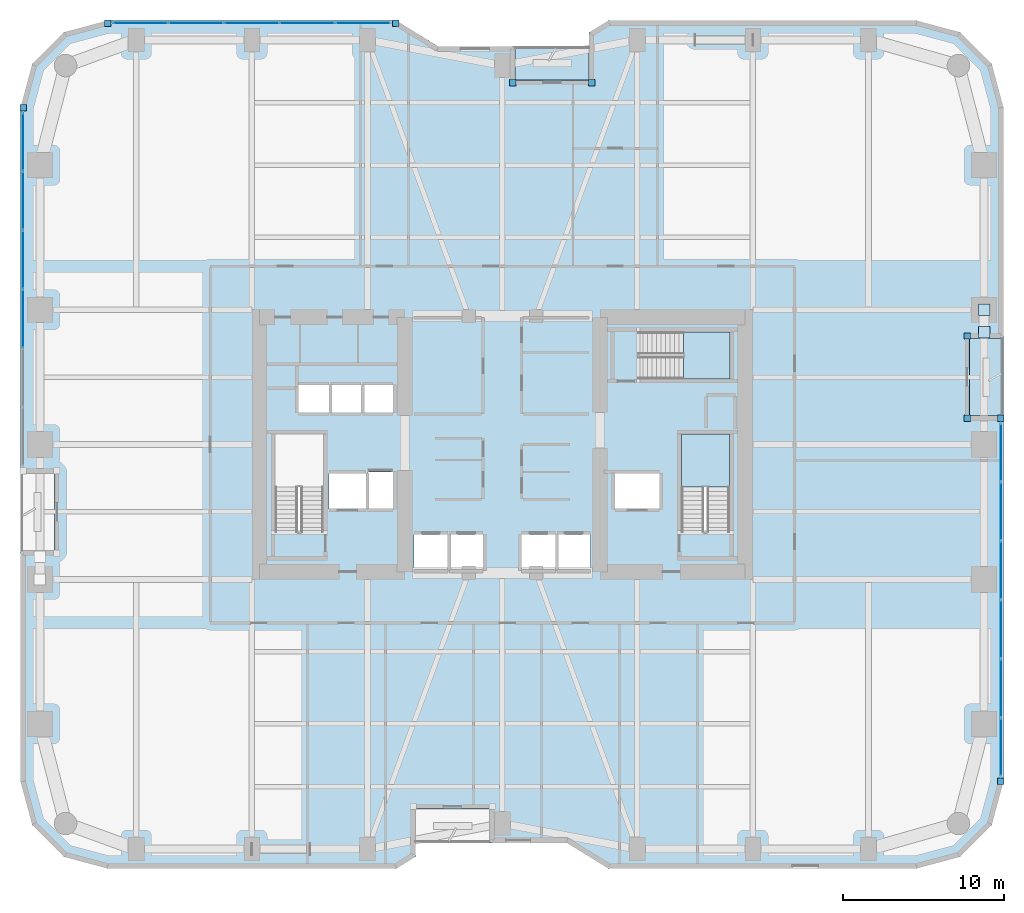
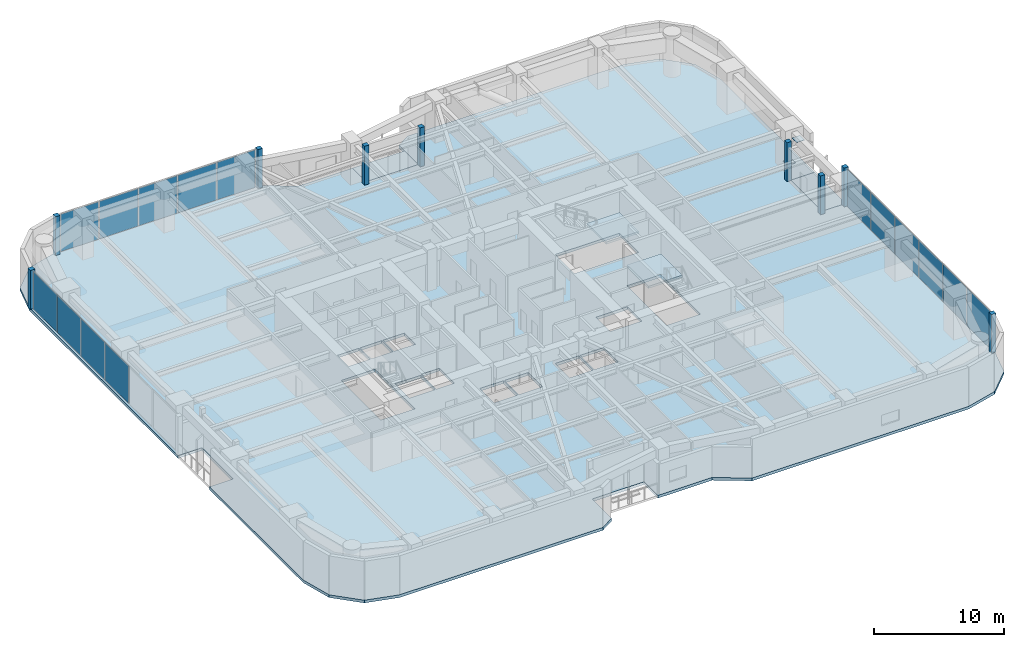
# One storey, part 20 of 29: 26 plates, 5 slabs, 5 elements without a shape of their own.
"""IFC4 building model written with IfcOpenShell, lengths in metres."""

from ifc_helpers import new_model, si_unit, direction, frame, origin, origin_2d, place, context, subcontext, project, spatial, polyline, rectangle, outline, extrude, material, layer, layer_set, type_object, element, aggregate, save


model = new_model("IFC4")

# Units and contexts
model_context = context("Model", 3, precision=1e-05, world=origin(), true_north=direction((0.0, 1.0)))
body_context = subcontext(model_context, "Body", "Model", "MODEL_VIEW")
ifc_project = project(units=[si_unit("LENGTHUNIT", "METRE"), si_unit("AREAUNIT", "SQUARE_METRE"), si_unit("VOLUMEUNIT", "CUBIC_METRE"), si_unit("PLANEANGLEUNIT", "RADIAN"), si_unit("MASSUNIT", "GRAM", prefix="KILO")], contexts=[model_context])

# Site, building, storey
site_placement = place(None, origin())
site = spatial("IfcSite", under=ifc_project, at=site_placement, CompositionType="ELEMENT")
building_placement = place(site_placement, origin())
building = spatial("IfcBuilding", under=site, at=building_placement, Name="Kiyonajd Concourse Tower", CompositionType="ELEMENT")
storey_placement = place(building_placement, frame((0.0, 0.0, 48.89990234375)))
storey = spatial("IfcBuildingStorey", under=building, at=storey_placement, Name="L13", CompositionType="ELEMENT", Elevation=48.89990234375)

# Plates
ifc_material_1 = material(Name="Steel ASTM A572 Grade 50", Category="steel")
ifc_layer_1 = layer(ifc_material_1, 0.028076171875)
ifc_layer_set_1 = layer_set([ifc_layer_1], Name="Steel ASTM A572 Grade 50")
plate_type_1 = type_object("IfcPlateType", Name="PL-CAP-450", PredefinedType="USERDEFINED", material=ifc_layer_set_1)
for number, where, z_axis, x_axis, name in (
    (1, (78.0, 44.40478515625, 0.27587890625), (0.0, 0.0, 1.0), (1.0, 0.0, 0.0), "L13 Hollow Brace End Cap Plate PBE"),
    (2, (78.0, 42.995361328125, 3.2861328125), (0.0, 0.0, 1.0), (1.0, 0.0, 0.0), "L13 Hollow Brace Top Cap Plate PBE"),
):
    element("IfcPlate", number, at=place(storey_placement, frame(where, z_axis=z_axis, x_axis=x_axis)), inside=storey, type_object=plate_type_1, Name=name, ObjectType="CAP PLATE", PredefinedType="USERDEFINED", context=body_context, shape_type="SweptSolid", body=[
        extrude(rectangle(XDim=0.7099609375, YDim=0.7099609375, at=origin_2d()), origin(), (0.0, 0.0, 1.0), 0.028076171875),
    ])

# Curtain wall, plates
ifc_material_2 = material(Name="Thermally Broken Anodised Aluminium", Category="aluminium")
ifc_layer_2 = layer(ifc_material_2, 0.179931640625)
ifc_layer_set_2 = layer_set([ifc_layer_2], Name="Thermally Broken Anodised Aluminium")
curtain_wall_type = type_object("IfcCurtainWallType", Name="CW-SYS-02", PredefinedType="NOTDEFINED", material=ifc_layer_set_2)
curtain_wall_1_placement = place(storey_placement, origin())
curtain_wall_1 = element("IfcCurtainWall", 3, at=curtain_wall_1_placement, inside=storey, type_object=curtain_wall_type, Name="L13 Unitised Curtain Wall CW2", PredefinedType="NOTDEFINED")
ifc_material_3 = material(Name="Double Low-E Insulated Glass", Category="glass")
ifc_layer_3 = layer(ifc_material_3, 0.028076171875)
ifc_layer_set_3 = layer_set([ifc_layer_3], Name="Double Low-E Insulated Glass")
plate_type_2 = type_object("IfcPlateType", Name="PL-CW-VIS28", PredefinedType="CURTAIN_PANEL", material=ifc_layer_set_3)
plate_1_placement = place(storey_placement, frame((18.159912109375, 43.832763671875, 0.06494140625), z_axis=(0.0, 0.0, 1.0), x_axis=(0.0, 1.0, 0.0)))
plate_1 = element("IfcPlate", 4, at=plate_1_placement, type_object=plate_type_2, Name="CW2 panel 3.1", PredefinedType="CURTAIN_PANEL", context=body_context, shape_type="SweptSolid", body=[
    extrude(rectangle(XDim=3.608154296875, YDim=0.028076171875, at=origin_2d()), origin(), (0.0, 0.0, 1.0), 3.510009765625),
])
plate_2_placement = place(storey_placement, frame((18.159912109375, 47.506103515625, 0.06494140625), z_axis=(0.0, 0.0, 1.0), x_axis=(0.0, 1.0, 0.0)))
plate_2 = element("IfcPlate", 5, at=plate_2_placement, type_object=plate_type_2, Name="CW2 panel 4.1", PredefinedType="CURTAIN_PANEL", context=body_context, shape_type="SweptSolid", body=[
    extrude(rectangle(XDim=3.608154296875, YDim=0.028076171875, at=origin_2d()), origin(), (0.0, 0.0, 1.0), 3.510009765625),
])
plate_3_placement = place(storey_placement, frame((18.159912109375, 51.17919921875, 0.06494140625), z_axis=(0.0, 0.0, 1.0), x_axis=(0.0, 1.0, 0.0)))
plate_3 = element("IfcPlate", 6, at=plate_3_placement, type_object=plate_type_2, Name="CW2 panel 5.1", PredefinedType="CURTAIN_PANEL", context=body_context, shape_type="SweptSolid", body=[
    extrude(rectangle(XDim=3.608154296875, YDim=0.028076171875, at=origin_2d()), origin(), (0.0, 0.0, 1.0), 3.510009765625),
])
plate_4_placement = place(storey_placement, frame((18.159912109375, 54.836181640625, 0.06494140625), z_axis=(0.0, 0.0, 1.0), x_axis=(0.0, 1.0, 0.0)))
plate_4 = element("IfcPlate", 7, at=plate_4_placement, type_object=plate_type_2, Name="CW2 panel 6.1", PredefinedType="CURTAIN_PANEL", context=body_context, shape_type="SweptSolid", body=[
    extrude(rectangle(XDim=3.57568359375, YDim=0.028076171875, at=origin_2d()), origin(), (0.0, 0.0, 1.0), 3.510009765625),
])
aggregate(curtain_wall_1, [plate_1, plate_2, plate_3, plate_4])

curtain_wall_2_placement = place(storey_placement, origin())
curtain_wall_2 = element("IfcCurtainWall", 8, at=curtain_wall_2_placement, inside=storey, type_object=curtain_wall_type, Name="L13 Unitised Curtain Wall CW2", PredefinedType="NOTDEFINED")
plate_5_placement = place(storey_placement, frame((25.462646484375, 62.239990234375, 0.06494140625), z_axis=(0.0, 0.0, 1.0), x_axis=(1.0, 0.0, 0.0)))
plate_5 = element("IfcPlate", 9, at=plate_5_placement, type_object=plate_type_2, Name="CW2 panel 1.1", PredefinedType="CURTAIN_PANEL", context=body_context, shape_type="SweptSolid", body=[
    extrude(rectangle(XDim=3.373291015625, YDim=0.028076171875, at=origin_2d()), origin(), (0.0, 0.0, 1.0), 3.510009765625),
])
plate_6_placement = place(storey_placement, frame((28.917236328125, 62.239990234375, 0.06494140625), z_axis=(0.0, 0.0, 1.0), x_axis=(1.0, 0.0, 0.0)))
plate_6 = element("IfcPlate", 10, at=plate_6_placement, type_object=plate_type_2, Name="CW2 panel 2.1", PredefinedType="CURTAIN_PANEL", context=body_context, shape_type="SweptSolid", body=[
    extrude(rectangle(XDim=3.40576171875, YDim=0.028076171875, at=origin_2d()), origin(), (0.0, 0.0, 1.0), 3.510009765625),
])
plate_7_placement = place(storey_placement, frame((32.387939453125, 62.239990234375, 0.06494140625), z_axis=(0.0, 0.0, 1.0), x_axis=(1.0, 0.0, 0.0)))
plate_7 = element("IfcPlate", 11, at=plate_7_placement, type_object=plate_type_2, Name="CW2 panel 3.1", PredefinedType="CURTAIN_PANEL", context=body_context, shape_type="SweptSolid", body=[
    extrude(rectangle(XDim=3.40576171875, YDim=0.028076171875, at=origin_2d()), origin(), (0.0, 0.0, 1.0), 3.510009765625),
])
plate_8_placement = place(storey_placement, frame((35.858642578125, 62.239990234375, 0.06494140625), z_axis=(0.0, 0.0, 1.0), x_axis=(1.0, 0.0, 0.0)))
plate_8 = element("IfcPlate", 12, at=plate_8_placement, type_object=plate_type_2, Name="CW2 panel 4.1", PredefinedType="CURTAIN_PANEL", context=body_context, shape_type="SweptSolid", body=[
    extrude(rectangle(XDim=3.40576171875, YDim=0.028076171875, at=origin_2d()), origin(), (0.0, 0.0, 1.0), 3.510009765625),
])
plate_9_placement = place(storey_placement, frame((39.31298828125, 62.239990234375, 0.06494140625), z_axis=(0.0, 0.0, 1.0), x_axis=(1.0, 0.0, 0.0)))
plate_9 = element("IfcPlate", 13, at=plate_9_placement, type_object=plate_type_2, Name="CW2 panel 5.1", PredefinedType="CURTAIN_PANEL", context=body_context, shape_type="SweptSolid", body=[
    extrude(rectangle(XDim=3.373291015625, YDim=0.028076171875, at=origin_2d()), origin(), (0.0, 0.0, 1.0), 3.510009765625),
])
aggregate(curtain_wall_2, [plate_5, plate_6, plate_7, plate_8, plate_9])

curtain_wall_3_placement = place(storey_placement, origin())
curtain_wall_3 = element("IfcCurtainWall", 14, at=curtain_wall_3_placement, inside=storey, type_object=curtain_wall_type, Name="L13 Unitised Curtain Wall CW2", PredefinedType="NOTDEFINED")
plate_10_placement = place(storey_placement, frame((79.0400390625, 35.4970703125, 0.06494140625), z_axis=(0.0, 0.0, 1.0), x_axis=(0.0, -1.0, 0.0)))
plate_10 = element("IfcPlate", 15, at=plate_10_placement, type_object=plate_type_2, Name="CW2 panel 1.1", PredefinedType="CURTAIN_PANEL", context=body_context, shape_type="SweptSolid", body=[
    extrude(rectangle(XDim=3.57568359375, YDim=0.028076171875, at=origin_2d()), origin(), (0.0, 0.0, 1.0), 3.510009765625),
])
plate_11_placement = place(storey_placement, frame((79.0400390625, 31.84033203125, 0.06494140625), z_axis=(0.0, 0.0, 1.0), x_axis=(0.0, -1.0, 0.0)))
plate_11 = element("IfcPlate", 16, at=plate_11_placement, type_object=plate_type_2, Name="CW2 panel 2.1", PredefinedType="CURTAIN_PANEL", context=body_context, shape_type="SweptSolid", body=[
    extrude(rectangle(XDim=3.608154296875, YDim=0.028076171875, at=origin_2d()), origin(), (0.0, 0.0, 1.0), 3.510009765625),
])
plate_12_placement = place(storey_placement, frame((79.0400390625, 28.167236328125, 0.06494140625), z_axis=(0.0, 0.0, 1.0), x_axis=(0.0, -1.0, 0.0)))
plate_12 = element("IfcPlate", 17, at=plate_12_placement, type_object=plate_type_2, Name="CW2 panel 3.1", PredefinedType="CURTAIN_PANEL", context=body_context, shape_type="SweptSolid", body=[
    extrude(rectangle(XDim=3.608154296875, YDim=0.028076171875, at=origin_2d()), origin(), (0.0, 0.0, 1.0), 3.510009765625),
])
plate_13_placement = place(storey_placement, frame((79.0400390625, 24.493896484375, 0.06494140625), z_axis=(0.0, 0.0, 1.0), x_axis=(0.0, -1.0, 0.0)))
plate_13 = element("IfcPlate", 18, at=plate_13_placement, type_object=plate_type_2, Name="CW2 panel 4.1", PredefinedType="CURTAIN_PANEL", context=body_context, shape_type="SweptSolid", body=[
    extrude(rectangle(XDim=3.608154296875, YDim=0.028076171875, at=origin_2d()), origin(), (0.0, 0.0, 1.0), 3.510009765625),
])
plate_14_placement = place(storey_placement, frame((79.0400390625, 20.82080078125, 0.06494140625), z_axis=(0.0, 0.0, 1.0), x_axis=(0.0, -1.0, 0.0)))
plate_14 = element("IfcPlate", 19, at=plate_14_placement, type_object=plate_type_2, Name="CW2 panel 5.1", PredefinedType="CURTAIN_PANEL", context=body_context, shape_type="SweptSolid", body=[
    extrude(rectangle(XDim=3.608154296875, YDim=0.028076171875, at=origin_2d()), origin(), (0.0, 0.0, 1.0), 3.510009765625),
])
plate_15_placement = place(storey_placement, frame((79.0400390625, 17.163818359375, 0.06494140625), z_axis=(0.0, 0.0, 1.0), x_axis=(0.0, -1.0, 0.0)))
plate_15 = element("IfcPlate", 20, at=plate_15_placement, type_object=plate_type_2, Name="CW2 panel 6.1", PredefinedType="CURTAIN_PANEL", context=body_context, shape_type="SweptSolid", body=[
    extrude(rectangle(XDim=3.57568359375, YDim=0.028076171875, at=origin_2d()), origin(), (0.0, 0.0, 1.0), 3.510009765625),
])
aggregate(curtain_wall_3, [plate_10, plate_11, plate_12, plate_13, plate_14, plate_15])

# Plates
ifc_layer_4 = layer(ifc_material_2, 0.39990234375)
ifc_layer_set_4 = layer_set([ifc_layer_4], Name="Thermally Broken Anodised Aluminium")
plate_type_3 = type_object("IfcPlateType", Name="PL-JMB-400", PredefinedType="USERDEFINED", material=ifc_layer_set_4)
for number, where, z_axis, x_axis, name in (
    (21, (18.159912109375, 56.97900390625, 0.0), (0.0, 0.0, 1.0), (1.0, 0.0, 0.0), "L13 Facade Jamb Closure Plate 04"),
    (22, (23.421142578125, 62.239990234375, 0.0), (0.0, 0.0, 1.0), (1.0, 0.0, 0.0), "L13 Facade Jamb Closure Plate 05"),
    (23, (41.354736328125, 62.239990234375, 0.0), (0.0, 0.0, 1.0), (1.0, 0.0, 0.0), "L13 Facade Jamb Closure Plate 06"),
    (24, (48.639892578125, 58.5400390625, 0.0), (0.0, 0.0, 1.0), (1.0, 0.0, 0.0), "L13 Facade Jamb Closure Plate 07"),
    (25, (53.56005859375, 58.5400390625, 0.0), (0.0, 0.0, 1.0), (1.0, 0.0, 0.0), "L13 Facade Jamb Closure Plate 08"),
    (26, (76.93994140625, 42.760009765625, 0.0), (0.0, 0.0, 1.0), (1.0, 0.0, 0.0), "L13 Facade Jamb Closure Plate 09"),
    (27, (76.93994140625, 37.639892578125, 0.0), (0.0, 0.0, 1.0), (1.0, 0.0, 0.0), "L13 Facade Jamb Closure Plate 10"),
    (28, (79.0400390625, 37.639892578125, 0.0), (0.0, 0.0, 1.0), (1.0, 0.0, 0.0), "L13 Facade Jamb Closure Plate 11"),
    (29, (79.0400390625, 15.02099609375, 0.0), (0.0, 0.0, 1.0), (1.0, 0.0, 0.0), "L13 Facade Jamb Closure Plate 12"),
):
    element("IfcPlate", number, at=place(storey_placement, frame(where, z_axis=z_axis, x_axis=x_axis)), inside=storey, type_object=plate_type_3, Name=name, ObjectType="JAMB PLATE", PredefinedType="USERDEFINED", context=body_context, shape_type="SweptSolid", body=[
        extrude(rectangle(XDim=0.39990234375, YDim=0.39990234375, at=origin_2d()), origin(), (0.0, 0.0, 1.0), 3.639892578125),
    ])

# Stair, slab
ifc_material_4 = material(Name="Concrete C40/50", Category="concrete")
stair_type = type_object("IfcStairType", Name="ST-DLG-22R", PredefinedType="HALF_TURN_STAIR", material=ifc_material_4)
stair_1_placement = place(storey_placement, origin())
stair_1 = element("IfcStair", 30, at=stair_1_placement, inside=storey, type_object=stair_type, Name="L13 Protected Exit Stair ST2", PredefinedType="HALF_TURN_STAIR")
ifc_layer_5 = layer(ifc_material_4, 0.199951171875)
ifc_layer_set_5 = layer_set([ifc_layer_5], Name="Concrete C40/50")
slab_type_1 = type_object("IfcSlabType", Name="SL-LND-200", PredefinedType="LANDING", material=ifc_layer_set_5)
slab_1_placement = place(storey_placement, frame((0.0, 0.0, 1.75)))
slab_1 = element("IfcSlab", 31, at=slab_1_placement, type_object=slab_type_1, Name="ST2 landing 1", PredefinedType="LANDING", context=body_context, shape_type="SweptSolid", body=[
    extrude(outline(polyline([(62.14990234375, 33.35009765625), (62.14990234375, 36.64990234375), (59.14990234375, 36.64990234375), (59.14990234375, 33.35009765625), (62.14990234375, 33.35009765625)])), origin(), (0.0, 0.0, 1.0), 0.2001953125),
])
aggregate(stair_1, [slab_1])

stair_2_placement = place(storey_placement, origin())
stair_2 = element("IfcStair", 32, at=stair_2_placement, inside=storey, type_object=stair_type, Name="L13 Protected Exit Stair ST3", PredefinedType="HALF_TURN_STAIR")
slab_2_placement = place(storey_placement, frame((0.0, 0.0, 1.75)))
slab_2 = element("IfcSlab", 33, at=slab_2_placement, type_object=slab_type_1, Name="ST3 landing 1", PredefinedType="LANDING", context=body_context, shape_type="SweptSolid", body=[
    extrude(outline(polyline([(59.280029296875, 40.080078125), (62.179931640625, 40.080078125), (62.179931640625, 43.02001953125), (59.280029296875, 43.02001953125), (59.280029296875, 40.080078125)])), origin(), (0.0, 0.0, 1.0), 0.2001953125),
])
aggregate(stair_2, [slab_2])

# Slabs
ifc_material_5 = material(Name="Precast concrete C50/60", Category="concrete")
ifc_layer_6 = layer(ifc_material_5, 0.199951171875)
ifc_layer_set_6 = layer_set([ifc_layer_6], Name="Precast concrete C50/60")
slab_type_2 = type_object("IfcSlabType", Name="SL-LOG-200", PredefinedType="FLOOR", material=ifc_layer_set_6)
slab_3_placement = place(storey_placement, frame((0.0, 0.0, -0.199951171875)))
element("IfcSlab", 34, at=slab_3_placement, inside=storey, type_object=slab_type_2, Name="L13 Recessed Engawa Loggia Terrace Slab LOG-N", PredefinedType="FLOOR", context=body_context, shape_type="SweptSolid", body=[
    extrude(outline(polyline([(48.800048828125, 58.699951171875), (53.39990234375, 58.699951171875), (53.39990234375, 60.800048828125), (48.800048828125, 60.800048828125), (48.800048828125, 58.699951171875)])), origin(), (0.0, 0.0, 1.0), 0.199951171875),
])
slab_4_placement = place(storey_placement, frame((0.0, 0.0, -0.199951171875)))
element("IfcSlab", 35, at=slab_4_placement, inside=storey, type_object=slab_type_2, Name="L13 Recessed Engawa Loggia Terrace Slab LOG-E", PredefinedType="FLOOR", context=body_context, shape_type="SweptSolid", body=[
    extrude(outline(polyline([(77.10009765625, 37.800048828125), (79.199951171875, 37.800048828125), (79.199951171875, 42.60009765625), (77.10009765625, 42.60009765625), (77.10009765625, 37.800048828125)])), origin(), (0.0, 0.0, 1.0), 0.199951171875),
])
ifc_layer_7 = layer(ifc_material_4, 0.260009765625)
ifc_layer_set_7 = layer_set([ifc_layer_7], Name="Concrete C40/50")
slab_type_3 = type_object("IfcSlabType", Name="SL-TWR-260", PredefinedType="FLOOR", material=ifc_layer_set_7)
slab_5_placement = place(storey_placement, frame((0.0, 0.0, -0.260009765625)))
element("IfcSlab", 36, at=slab_5_placement, inside=storey, type_object=slab_type_3, Name="L13 Tower Conditioned Floor Slab", PredefinedType="FLOOR", context=body_context, shape_type="SweptSolid", body=[
    extrude(outline(polyline([(18.722900390625, 12.300048828125), (18.0, 15.0), (18.0, 29.39990234375), (20.10009765625, 29.39990234375), (20.10009765625, 34.199951171875), (18.0, 34.199951171875), (18.0, 57.0), (18.722900390625, 59.699951171875), (20.699951171875, 61.677001953125), (23.39990234375, 62.39990234375), (41.39990234375, 62.39990234375), (44.0, 60.800048828125), (48.800048828125, 60.800048828125), (48.800048828125, 58.699951171875), (53.39990234375, 58.699951171875), (53.39990234375, 61.662109375), (54.60009765625, 62.39990234375), (73.800048828125, 62.39990234375), (76.5, 61.677001953125), (78.47705078125, 59.699951171875), (79.199951171875, 57.0), (79.199951171875, 42.60009765625), (77.10009765625, 42.60009765625), (77.10009765625, 37.800048828125), (79.199951171875, 37.800048828125), (79.199951171875, 15.0), (78.47705078125, 12.300048828125), (76.5, 10.322998046875), (73.800048828125, 9.60009765625), (54.60009765625, 9.60009765625), (52.0, 11.199951171875), (47.199951171875, 11.199951171875), (47.199951171875, 13.300048828125), (42.60009765625, 13.300048828125), (42.60009765625, 10.337890625), (41.39990234375, 9.60009765625), (23.39990234375, 9.60009765625), (20.699951171875, 10.322998046875), (18.722900390625, 12.300048828125)]), holes=[polyline([(44.60009765625, 28.199951171875), (42.5, 28.199951171875), (42.5, 30.39990234375), (44.60009765625, 30.39990234375), (44.60009765625, 28.199951171875)]), polyline([(37.199951171875, 32.0), (37.199951171875, 34.199951171875), (39.5, 34.199951171875), (39.5, 32.0), (37.199951171875, 32.0)]), polyline([(39.60009765625, 32.0), (39.60009765625, 34.300048828125), (41.199951171875, 34.300048828125), (41.199951171875, 32.0), (39.60009765625, 32.0)]), polyline([(36.85009765625, 30.550048828125), (33.85009765625, 30.550048828125), (33.85009765625, 36.64990234375), (36.85009765625, 36.64990234375), (36.85009765625, 30.550048828125)]), polyline([(35.300048828125, 38.0), (35.300048828125, 39.699951171875), (37.199951171875, 39.699951171875), (37.199951171875, 38.0), (35.300048828125, 38.0)]), polyline([(37.300048828125, 38.0), (37.300048828125, 39.699951171875), (39.199951171875, 39.699951171875), (39.199951171875, 38.0), (37.300048828125, 38.0)]), polyline([(41.199951171875, 38.0), (39.300048828125, 38.0), (39.300048828125, 39.699951171875), (41.199951171875, 39.699951171875), (41.199951171875, 38.0)]), polyline([(44.699951171875, 28.199951171875), (44.699951171875, 30.39990234375), (46.800048828125, 30.39990234375), (46.800048828125, 28.199951171875), (44.699951171875, 28.199951171875)]), polyline([(49.199951171875, 28.199951171875), (49.199951171875, 30.39990234375), (51.300048828125, 30.39990234375), (51.300048828125, 28.199951171875), (49.199951171875, 28.199951171875)]), polyline([(51.39990234375, 28.199951171875), (51.39990234375, 30.39990234375), (53.5, 30.39990234375), (53.5, 28.199951171875), (51.39990234375, 28.199951171875)]), polyline([(55.0, 32.0), (55.0, 34.199951171875), (57.800048828125, 34.199951171875), (57.800048828125, 32.0), (55.0, 32.0)]), polyline([(59.14990234375, 30.550048828125), (59.14990234375, 36.64990234375), (62.14990234375, 36.64990234375), (62.14990234375, 30.550048828125), (59.14990234375, 30.550048828125)]), polyline([(56.47998046875, 43.02001953125), (62.179931640625, 43.02001953125), (62.179931640625, 40.080078125), (56.47998046875, 40.080078125), (56.47998046875, 43.02001953125)])]), origin(), (0.0, 0.0, 1.0), 0.260009765625),
])

save(model, "model.ifc")
